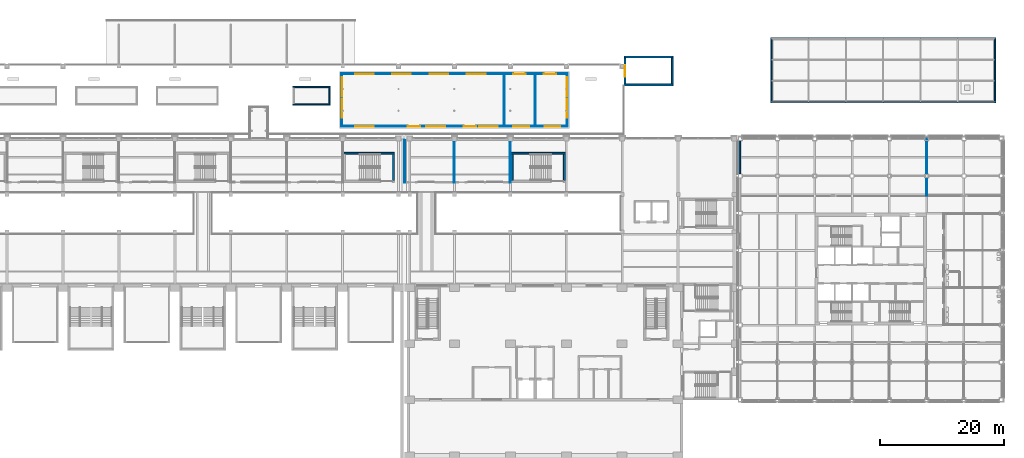
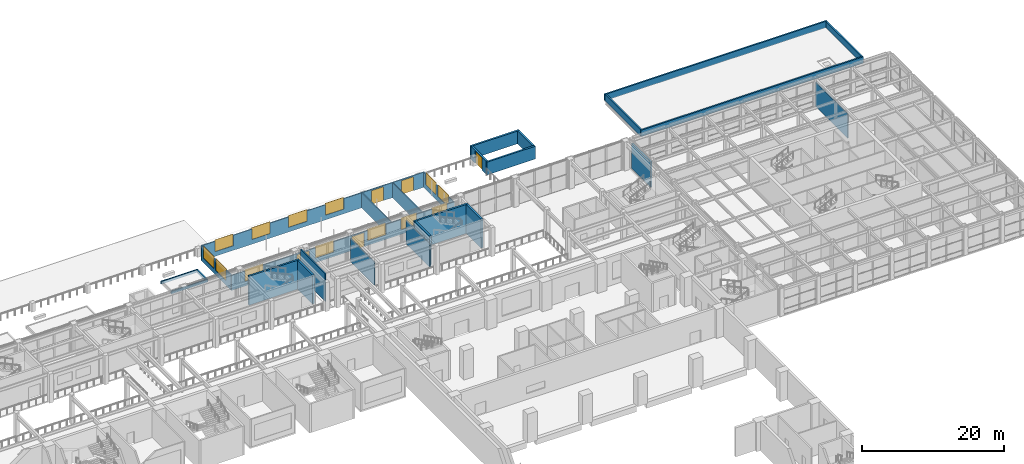
# One storey, part 46 of 67: 27 walls, 13 windows, 5 doors, 18 openings.
"""IFC4 building model written with IfcOpenShell, lengths in metres."""

from ifc_helpers import new_model, si_unit, direction, frame, frame_2d, origin, place, context, subcontext, project, spatial, rectangle, extrude, material, layer, layer_set, type_object, element, fill, save


model = new_model("IFC4")

# Units and contexts
model_context = context("Model", 3, precision=1e-05, world=origin(), true_north=direction((0.0, 1.0)))
body_context = subcontext(model_context, "Body", "Model", "MODEL_VIEW")
ifc_project = project(units=[si_unit("LENGTHUNIT", "METRE"), si_unit("AREAUNIT", "SQUARE_METRE"), si_unit("VOLUMEUNIT", "CUBIC_METRE"), si_unit("PLANEANGLEUNIT", "RADIAN"), si_unit("MASSUNIT", "GRAM", prefix="KILO")], contexts=[model_context])

# Site, building, storey
site_placement = place(None, origin())
site = spatial("IfcSite", under=ifc_project, at=site_placement, CompositionType="ELEMENT")
building_placement = place(site_placement, origin())
building = spatial("IfcBuilding", under=site, at=building_placement, Name="Aravalli Gate Trade Fair Centre", CompositionType="ELEMENT")
storey_placement = place(building_placement, frame((0.0, 0.0, 5.0)))
storey = spatial("IfcBuildingStorey", under=building, at=storey_placement, Name="L01", CompositionType="ELEMENT", Elevation=5.0)

# Walls
ifc_material_1 = material(Name="Concrete M40", Category="concrete")
ifc_layer_1 = layer(ifc_material_1, 0.300048828125)
ifc_layer_set_1 = layer_set([ifc_layer_1], Name="Concrete M40")
wall_type_1 = type_object("IfcWallType", Name="Arcade stair wall 300", PredefinedType="SHEAR", material=ifc_layer_set_1)
for number, where, z_axis, x_axis, name in (
    (1, (141.300048828125, 141.64990234375, 0.0), (0.0, 0.0, 1.0), (1.0, 0.0, 0.0), "Arcade stair east wall S L01"),
    (2, (141.300048828125, 146.14990234375, 0.0), (0.0, 0.0, 1.0), (1.0, 0.0, 0.0), "Arcade stair east wall N L01"),
):
    element("IfcWall", number, at=place(storey_placement, frame(where, z_axis=z_axis, x_axis=x_axis)), inside=storey, type_object=wall_type_1, Name=name, PredefinedType="SHEAR", context=body_context, shape_type="SweptSolid", body=[
        extrude(rectangle(XDim=7.89990234375, YDim=0.300048828125, at=frame_2d((3.949951171875, 0.0))), origin(), (0.0, 0.0, 1.0), 2.199951171875),
    ])

# Wall, opening, door
wall_1_placement = place(storey_placement, frame((141.449951171875, 141.800048828125, 0.0), z_axis=(0.0, 0.0, 1.0), x_axis=(0.0, 1.0, 0.0)))
wall_1 = element("IfcWall", 3, at=wall_1_placement, inside=storey, type_object=wall_type_1, Name="Arcade stair east wall W L01", PredefinedType="SHEAR", context=body_context, shape_type="SweptSolid", body=[
    extrude(rectangle(XDim=4.199951171875, YDim=0.300048828125, at=frame_2d((2.10009765625, 0.0))), origin(), (0.0, 0.0, 1.0), 2.199951171875),
])
opening_1_placement = place(wall_1_placement, frame((1.14990234375, 0.0, 0.0)))
opening_1 = element("IfcOpeningElement", 4, at=opening_1_placement, cuts=wall_1, Name="Opening P-L01-07", PredefinedType="OPENING", context=body_context, shape_type="SweptSolid", body=[
    extrude(rectangle(XDim=1.89990234375, YDim=2.10009765625, at=frame_2d((0.949951171875, 1.050048828125))), frame((0.0, 0.159912109375, 0.0), z_axis=(0.0, -1.0, 0.0), x_axis=(1.0, 0.0, 0.0)), (0.0, 0.0, 1.0), 0.320068359375),
])
ifc_material_2 = material(Name="Steel, fire rated", Category="steel")
door_type_1 = type_object("IfcDoorType", Name="Concourse stair door 1900 x 2100", OperationType="DOUBLE_DOOR_SINGLE_SWING", PredefinedType="NOTDEFINED", material=ifc_material_2)
door_1_placement = place(opening_1_placement, frame((1.89990234375, 0.0, 0.0), z_axis=(0.0, 0.0, 1.0), x_axis=(-1.0, 0.0, 0.0)))
door_1 = element("IfcDoor", 5, at=door_1_placement, inside=storey, type_object=door_type_1, Name="Arcade stair east door W", OperationType="DOUBLE_DOOR_SINGLE_SWING", OverallHeight=2.10009765625, OverallWidth=1.89990234375, PredefinedType="NOTDEFINED", context=body_context, shape_type="SweptSolid", body=[
    extrude(rectangle(XDim=1.89990234375, YDim=2.10009765625, at=frame_2d((0.949951171875, 1.050048828125))), frame((0.0, 0.02490234375, 0.0), z_axis=(0.0, -1.0, 0.0), x_axis=(1.0, 0.0, 0.0)), (0.0, 0.0, 1.0), 0.050048828125),
])
fill(opening_1, door_1)

# Walls
wall_2_placement = place(storey_placement, frame((149.050048828125, 141.800048828125, 0.0), z_axis=(0.0, 0.0, 1.0), x_axis=(0.0, 1.0, 0.0)))
element("IfcWall", 6, at=wall_2_placement, inside=storey, type_object=wall_type_1, Name="Arcade stair east wall E L01", PredefinedType="SHEAR", context=body_context, shape_type="SweptSolid", body=[
    extrude(rectangle(XDim=4.199951171875, YDim=0.300048828125, at=frame_2d((2.10009765625, 0.0))), origin(), (0.0, 0.0, 1.0), 2.199951171875),
])
ifc_material_3 = material(Name="Gypsum board")
ifc_layer_2 = layer(ifc_material_3, 0.02490234375, Name="Gypsum board lining")
ifc_material_4 = material(Name="Galvanised stud framing")
ifc_layer_3 = layer(ifc_material_4, 0.10009765625, Name="Stud framing")
ifc_layer_4 = layer(ifc_material_3, 0.02490234375, Name="Gypsum board lining")
ifc_layer_set_2 = layer_set([ifc_layer_2, ifc_layer_3, ifc_layer_4], Name="Partition wall 150")
wall_type_2 = type_object("IfcWallType", Name="Partition wall 150", PredefinedType="PARTITIONING", material=ifc_layer_set_2)
wall_3_placement = place(storey_placement, frame((106.0, 125.925048828125, 0.0), z_axis=(0.0, 0.0, 1.0), x_axis=(0.0, 1.0, 0.0)))
element("IfcWall", 7, at=wall_3_placement, inside=storey, type_object=wall_type_2, Name="Partition 10600 L01", PredefinedType="PARTITIONING", context=body_context, shape_type="SweptSolid", body=[
    extrude(rectangle(XDim=6.994873046875, YDim=0.14990234375, at=frame_2d((3.49755859375, 0.0))), origin(), (0.0, 0.0, 1.0), 4.800048828125),
])
for number, where, z_axis, x_axis, name in (
    (8, (114.0, 125.925048828125, 0.0), (0.0, 0.0, 1.0), (0.0, 1.0, 0.0), "Partition 11400 L01"),
    (9, (123.0, 125.925048828125, 0.0), (0.0, 0.0, 1.0), (0.0, 1.0, 0.0), "Partition 12300 L01"),
):
    element("IfcWall", number, at=place(storey_placement, frame(where, z_axis=z_axis, x_axis=x_axis)), inside=storey, type_object=wall_type_2, Name=name, PredefinedType="PARTITIONING", context=body_context, shape_type="SweptSolid", body=[
        extrude(rectangle(XDim=6.675048828125, YDim=0.14990234375, at=frame_2d((3.33740234375, 0.0))), origin(), (0.0, 0.0, 1.0), 4.0),
    ])
ifc_layer_5 = layer(ifc_material_1, 0.300048828125)
ifc_layer_set_3 = layer_set([ifc_layer_5], Name="Concrete M40")
wall_type_3 = type_object("IfcWallType", Name="RC core wall 300", PredefinedType="SHEAR", material=ifc_layer_set_3)
wall_4_placement = place(storey_placement, frame((96.14990234375, 130.64990234375, 0.0), z_axis=(0.0, 0.0, 1.0), x_axis=(1.0, 0.0, 0.0)))
element("IfcWall", 10, at=wall_4_placement, inside=storey, type_object=wall_type_3, Name="Core wall XDN L01", PredefinedType="SHEAR", context=body_context, shape_type="SweptSolid", body=[
    extrude(rectangle(XDim=8.2001953125, YDim=0.300048828125, at=frame_2d((4.10009765625, 0.0))), origin(), (0.0, 0.0, 1.0), 5.0),
])
wall_5_placement = place(storey_placement, frame((104.199951171875, 126.300048828125, 0.0), z_axis=(0.0, 0.0, 1.0), x_axis=(0.0, 1.0, 0.0)))
element("IfcWall", 11, at=wall_5_placement, inside=storey, type_object=wall_type_3, Name="Core wall XDE L01", PredefinedType="SHEAR", context=body_context, shape_type="SweptSolid", body=[
    extrude(rectangle(XDim=4.199951171875, YDim=0.300048828125, at=frame_2d((2.10009765625, 0.0))), origin(), (0.0, 0.0, 1.0), 5.0),
])
wall_6_placement = place(storey_placement, frame((123.14990234375, 130.64990234375, 0.0), z_axis=(0.0, 0.0, 1.0), x_axis=(1.0, 0.0, 0.0)))
element("IfcWall", 12, at=wall_6_placement, inside=storey, type_object=wall_type_3, Name="Core wall XEN L01", PredefinedType="SHEAR", context=body_context, shape_type="SweptSolid", body=[
    extrude(rectangle(XDim=8.7001953125, YDim=0.300048828125, at=frame_2d((4.35009765625, 0.0))), origin(), (0.0, 0.0, 1.0), 5.0),
])
for number, where, z_axis, x_axis, name in (
    (13, (123.300048828125, 126.300048828125, 0.0), (0.0, 0.0, 1.0), (0.0, 1.0, 0.0), "Core wall XEW L01"),
    (14, (131.699951171875, 126.300048828125, 0.0), (0.0, 0.0, 1.0), (0.0, 1.0, 0.0), "Core wall XEE L01"),
):
    element("IfcWall", number, at=place(storey_placement, frame(where, z_axis=z_axis, x_axis=x_axis)), inside=storey, type_object=wall_type_3, Name=name, PredefinedType="SHEAR", context=body_context, shape_type="SweptSolid", body=[
        extrude(rectangle(XDim=4.199951171875, YDim=0.300048828125, at=frame_2d((2.10009765625, 0.0))), origin(), (0.0, 0.0, 1.0), 5.0),
    ])

# Wall, openings, doors, windows
ifc_material_5 = material(Name="Aluminium frame with glass", Category="aluminium")
ifc_layer_6 = layer(ifc_material_5, 0.159912109375)
ifc_layer_set_4 = layer_set([ifc_layer_6], Name="Aluminium frame with glass")
wall_type_4 = type_object("IfcWallType", Name="Terrace pavilion wall 160", PredefinedType="STANDARD", material=ifc_layer_set_4)
wall_7_placement = place(storey_placement, frame((95.800048828125, 134.97998046875, 0.0), z_axis=(0.0, 0.0, 1.0), x_axis=(1.0, 0.0, 0.0)))
wall_7 = element("IfcWall", 15, at=wall_7_placement, inside=storey, type_object=wall_type_4, Name="Terrace pavilion wall S", PredefinedType="STANDARD", context=body_context, shape_type="SweptSolid", body=[
    extrude(rectangle(XDim=36.39990234375, YDim=0.159912109375, at=frame_2d((18.199951171875, 0.0))), origin(), (0.0, 0.0, 1.0), 2.60009765625),
])
opening_2_placement = place(wall_7_placement, frame((10.699951171875, 0.0, 0.0)))
opening_2 = element("IfcOpeningElement", 16, at=opening_2_placement, cuts=wall_7, Name="Opening P-L01-01", PredefinedType="OPENING", context=body_context, shape_type="SweptSolid", body=[
    extrude(rectangle(XDim=2.0, YDim=2.39990234375, at=frame_2d((1.0, 1.199951171875))), frame((0.0, 0.08984375, 0.0), z_axis=(0.0, -1.0, 0.0), x_axis=(1.0, 0.0, 0.0)), (0.0, 0.0, 1.0), 0.179931640625),
])
opening_3_placement = place(wall_7_placement, frame((19.699951171875, 0.0, 0.0)))
opening_3 = element("IfcOpeningElement", 17, at=opening_3_placement, cuts=wall_7, Name="Opening P-L01-02", PredefinedType="OPENING", context=body_context, shape_type="SweptSolid", body=[
    extrude(rectangle(XDim=2.0, YDim=2.39990234375, at=frame_2d((1.0, 1.199951171875))), frame((0.0, 0.08984375, 0.0), z_axis=(0.0, -1.0, 0.0), x_axis=(1.0, 0.0, 0.0)), (0.0, 0.0, 1.0), 0.179931640625),
])
opening_4_placement = place(wall_7_placement, frame((2.199951171875, 0.0, 0.800048828125)))
opening_4 = element("IfcOpeningElement", 18, at=opening_4_placement, cuts=wall_7, Name="Opening AWN2", PredefinedType="OPENING", context=body_context, shape_type="SweptSolid", body=[
    extrude(rectangle(XDim=3.0, YDim=2.0, at=frame_2d((1.5, 1.0))), frame((0.0, 0.08984375, 0.0), z_axis=(0.0, -1.0, 0.0), x_axis=(1.0, 0.0, 0.0)), (0.0, 0.0, 1.0), 0.179931640625),
])
opening_5_placement = place(wall_7_placement, frame((13.699951171875, 0.0, 0.800048828125)))
opening_5 = element("IfcOpeningElement", 19, at=opening_5_placement, cuts=wall_7, Name="Opening AWN2", PredefinedType="OPENING", context=body_context, shape_type="SweptSolid", body=[
    extrude(rectangle(XDim=3.0, YDim=2.0, at=frame_2d((1.5, 1.0))), frame((0.0, 0.08984375, 0.0), z_axis=(0.0, -1.0, 0.0), x_axis=(1.0, 0.0, 0.0)), (0.0, 0.0, 1.0), 0.179931640625),
])
opening_6_placement = place(wall_7_placement, frame((22.199951171875, 0.0, 0.800048828125)))
opening_6 = element("IfcOpeningElement", 20, at=opening_6_placement, cuts=wall_7, Name="Opening AWN2", PredefinedType="OPENING", context=body_context, shape_type="SweptSolid", body=[
    extrude(rectangle(XDim=3.0, YDim=2.0, at=frame_2d((1.5, 1.0))), frame((0.0, 0.08984375, 0.0), z_axis=(0.0, -1.0, 0.0), x_axis=(1.0, 0.0, 0.0)), (0.0, 0.0, 1.0), 0.179931640625),
])
opening_7_placement = place(wall_7_placement, frame((27.699951171875, 0.0, 0.800048828125)))
opening_7 = element("IfcOpeningElement", 21, at=opening_7_placement, cuts=wall_7, Name="Opening AWN2", PredefinedType="OPENING", context=body_context, shape_type="SweptSolid", body=[
    extrude(rectangle(XDim=2.5, YDim=2.0, at=frame_2d((1.25, 1.0))), frame((0.0, 0.08984375, 0.0), z_axis=(0.0, -1.0, 0.0), x_axis=(1.0, 0.0, 0.0)), (0.0, 0.0, 1.0), 0.179931640625),
])
opening_8_placement = place(wall_7_placement, frame((32.699951171875, 0.0, 0.800048828125)))
opening_8 = element("IfcOpeningElement", 22, at=opening_8_placement, cuts=wall_7, Name="Opening AWN2", PredefinedType="OPENING", context=body_context, shape_type="SweptSolid", body=[
    extrude(rectangle(XDim=2.5, YDim=2.0, at=frame_2d((1.25, 1.0))), frame((0.0, 0.08984375, 0.0), z_axis=(0.0, -1.0, 0.0), x_axis=(1.0, 0.0, 0.0)), (0.0, 0.0, 1.0), 0.179931640625),
])
ifc_material_6 = material(Name="Aluminium and glass", Category="aluminium")
door_type_2 = type_object("IfcDoorType", Name="Arcade door, double 2000 x 2400", OperationType="DOUBLE_DOOR_SINGLE_SWING", PredefinedType="NOTDEFINED", material=ifc_material_6)
door_2_placement = place(opening_2_placement, origin())
door_2 = element("IfcDoor", 23, at=door_2_placement, inside=storey, type_object=door_type_2, Name="Terrace shop 1 door south A", OperationType="DOUBLE_DOOR_SINGLE_SWING", OverallHeight=2.39990234375, OverallWidth=2.0, PredefinedType="NOTDEFINED", context=body_context, shape_type="SweptSolid", body=[
    extrude(rectangle(XDim=2.0, YDim=2.39990234375, at=frame_2d((1.0, 1.199951171875))), frame((0.0, 0.02490234375, 0.0), z_axis=(0.0, -1.0, 0.0), x_axis=(1.0, 0.0, 0.0)), (0.0, 0.0, 1.0), 0.050048828125),
])
fill(opening_2, door_2)
door_3_placement = place(opening_3_placement, frame((2.0, 0.0, 0.0), z_axis=(0.0, 0.0, 1.0), x_axis=(-1.0, 0.0, 0.0)))
door_3 = element("IfcDoor", 24, at=door_3_placement, inside=storey, type_object=door_type_2, Name="Terrace shop 1 door south B", OperationType="DOUBLE_DOOR_SINGLE_SWING", OverallHeight=2.39990234375, OverallWidth=2.0, PredefinedType="NOTDEFINED", context=body_context, shape_type="SweptSolid", body=[
    extrude(rectangle(XDim=2.0, YDim=2.39990234375, at=frame_2d((1.0, 1.199951171875))), frame((0.0, 0.02490234375, 0.0), z_axis=(0.0, -1.0, 0.0), x_axis=(1.0, 0.0, 0.0)), (0.0, 0.0, 1.0), 0.050048828125),
])
fill(opening_3, door_3)
window_type = type_object("IfcWindowType", Name="Terrace pavilion window 3000 x 2000", PartitioningType="SINGLE_PANEL", PredefinedType="WINDOW", material=ifc_material_6)
window_1_placement = place(opening_4_placement, origin())
window_1 = element("IfcWindow", 25, at=window_1_placement, inside=storey, type_object=window_type, Name="Pavilion window S1", OverallHeight=2.0, OverallWidth=3.0, PartitioningType="SINGLE_PANEL", PredefinedType="WINDOW", context=body_context, shape_type="SweptSolid", body=[
    extrude(rectangle(XDim=3.0, YDim=2.0, at=frame_2d((1.5, 1.0))), frame((0.0, 0.030029296875, 0.0), z_axis=(0.0, -1.0, 0.0), x_axis=(1.0, 0.0, 0.0)), (0.0, 0.0, 1.0), 0.06005859375),
])
fill(opening_4, window_1)
window_2_placement = place(opening_5_placement, origin())
window_2 = element("IfcWindow", 26, at=window_2_placement, inside=storey, type_object=window_type, Name="Pavilion window S2", OverallHeight=2.0, OverallWidth=3.0, PartitioningType="SINGLE_PANEL", PredefinedType="WINDOW", context=body_context, shape_type="SweptSolid", body=[
    extrude(rectangle(XDim=3.0, YDim=2.0, at=frame_2d((1.5, 1.0))), frame((0.0, 0.030029296875, 0.0), z_axis=(0.0, -1.0, 0.0), x_axis=(1.0, 0.0, 0.0)), (0.0, 0.0, 1.0), 0.06005859375),
])
fill(opening_5, window_2)
window_3_placement = place(opening_6_placement, origin())
window_3 = element("IfcWindow", 27, at=window_3_placement, inside=storey, type_object=window_type, Name="Pavilion window S3", OverallHeight=2.0, OverallWidth=3.0, PartitioningType="SINGLE_PANEL", PredefinedType="WINDOW", context=body_context, shape_type="SweptSolid", body=[
    extrude(rectangle(XDim=3.0, YDim=2.0, at=frame_2d((1.5, 1.0))), frame((0.0, 0.030029296875, 0.0), z_axis=(0.0, -1.0, 0.0), x_axis=(1.0, 0.0, 0.0)), (0.0, 0.0, 1.0), 0.06005859375),
])
fill(opening_6, window_3)
window_4_placement = place(opening_7_placement, origin())
window_4 = element("IfcWindow", 28, at=window_4_placement, inside=storey, type_object=window_type, Name="Pavilion window S4", OverallHeight=2.0, OverallWidth=2.5, PartitioningType="SINGLE_PANEL", PredefinedType="WINDOW", context=body_context, shape_type="SweptSolid", body=[
    extrude(rectangle(XDim=2.5, YDim=2.0, at=frame_2d((1.25, 1.0))), frame((0.0, 0.030029296875, 0.0), z_axis=(0.0, -1.0, 0.0), x_axis=(1.0, 0.0, 0.0)), (0.0, 0.0, 1.0), 0.06005859375),
])
fill(opening_7, window_4)
window_5_placement = place(opening_8_placement, origin())
window_5 = element("IfcWindow", 29, at=window_5_placement, inside=storey, type_object=window_type, Name="Pavilion window S5", OverallHeight=2.0, OverallWidth=2.5, PartitioningType="SINGLE_PANEL", PredefinedType="WINDOW", context=body_context, shape_type="SweptSolid", body=[
    extrude(rectangle(XDim=2.5, YDim=2.0, at=frame_2d((1.25, 1.0))), frame((0.0, 0.030029296875, 0.0), z_axis=(0.0, -1.0, 0.0), x_axis=(1.0, 0.0, 0.0)), (0.0, 0.0, 1.0), 0.06005859375),
])
fill(opening_8, window_5)

wall_8_placement = place(storey_placement, frame((95.800048828125, 143.419921875, 0.0), z_axis=(0.0, 0.0, 1.0), x_axis=(1.0, 0.0, 0.0)))
wall_8 = element("IfcWall", 30, at=wall_8_placement, inside=storey, type_object=wall_type_4, Name="Terrace pavilion wall N", PredefinedType="STANDARD", context=body_context, shape_type="SweptSolid", body=[
    extrude(rectangle(XDim=36.39990234375, YDim=0.159912109375, at=frame_2d((18.199951171875, 0.0))), origin(), (0.0, 0.0, 1.0), 2.60009765625),
])
opening_9_placement = place(wall_8_placement, frame((2.199951171875, 0.0, 0.800048828125)))
opening_9 = element("IfcOpeningElement", 31, at=opening_9_placement, cuts=wall_8, Name="Opening AWN2", PredefinedType="OPENING", context=body_context, shape_type="SweptSolid", body=[
    extrude(rectangle(XDim=3.0, YDim=2.0, at=frame_2d((1.5, 1.0))), frame((0.0, 0.08984375, 0.0), z_axis=(0.0, -1.0, 0.0), x_axis=(1.0, 0.0, 0.0)), (0.0, 0.0, 1.0), 0.179931640625),
])
opening_10_placement = place(wall_8_placement, frame((8.199951171875, 0.0, 0.800048828125)))
opening_10 = element("IfcOpeningElement", 32, at=opening_10_placement, cuts=wall_8, Name="Opening AWN2", PredefinedType="OPENING", context=body_context, shape_type="SweptSolid", body=[
    extrude(rectangle(XDim=3.0, YDim=2.0, at=frame_2d((1.5, 1.0))), frame((0.0, 0.08984375, 0.0), z_axis=(0.0, -1.0, 0.0), x_axis=(1.0, 0.0, 0.0)), (0.0, 0.0, 1.0), 0.179931640625),
])
opening_11_placement = place(wall_8_placement, frame((14.199951171875, 0.0, 0.800048828125)))
opening_11 = element("IfcOpeningElement", 33, at=opening_11_placement, cuts=wall_8, Name="Opening AWN2", PredefinedType="OPENING", context=body_context, shape_type="SweptSolid", body=[
    extrude(rectangle(XDim=3.0, YDim=2.0, at=frame_2d((1.5, 1.0))), frame((0.0, 0.08984375, 0.0), z_axis=(0.0, -1.0, 0.0), x_axis=(1.0, 0.0, 0.0)), (0.0, 0.0, 1.0), 0.179931640625),
])
opening_12_placement = place(wall_8_placement, frame((20.199951171875, 0.0, 0.800048828125)))
opening_12 = element("IfcOpeningElement", 34, at=opening_12_placement, cuts=wall_8, Name="Opening AWN2", PredefinedType="OPENING", context=body_context, shape_type="SweptSolid", body=[
    extrude(rectangle(XDim=3.0, YDim=2.0, at=frame_2d((1.5, 1.0))), frame((0.0, 0.08984375, 0.0), z_axis=(0.0, -1.0, 0.0), x_axis=(1.0, 0.0, 0.0)), (0.0, 0.0, 1.0), 0.179931640625),
])
opening_13_placement = place(wall_8_placement, frame((27.699951171875, 0.0, 0.0)))
opening_13 = element("IfcOpeningElement", 35, at=opening_13_placement, cuts=wall_8, Name="Opening P-L01-03", PredefinedType="OPENING", context=body_context, shape_type="SweptSolid", body=[
    extrude(rectangle(XDim=2.0, YDim=2.39990234375, at=frame_2d((1.0, 1.199951171875))), frame((0.0, 0.08984375, 0.0), z_axis=(0.0, -1.0, 0.0), x_axis=(1.0, 0.0, 0.0)), (0.0, 0.0, 1.0), 0.179931640625),
])
opening_14_placement = place(wall_8_placement, frame((32.60009765625, 0.0, 0.0)))
opening_14 = element("IfcOpeningElement", 36, at=opening_14_placement, cuts=wall_8, Name="Opening P-L01-04", PredefinedType="OPENING", context=body_context, shape_type="SweptSolid", body=[
    extrude(rectangle(XDim=2.0, YDim=2.39990234375, at=frame_2d((1.0, 1.199951171875))), frame((0.0, 0.08984375, 0.0), z_axis=(0.0, -1.0, 0.0), x_axis=(1.0, 0.0, 0.0)), (0.0, 0.0, 1.0), 0.179931640625),
])
door_4_placement = place(opening_13_placement, origin())
door_4 = element("IfcDoor", 37, at=door_4_placement, inside=storey, type_object=door_type_2, Name="Terrace shop 2 door", OperationType="DOUBLE_DOOR_SINGLE_SWING", OverallHeight=2.39990234375, OverallWidth=2.0, PredefinedType="NOTDEFINED", context=body_context, shape_type="SweptSolid", body=[
    extrude(rectangle(XDim=2.0, YDim=2.39990234375, at=frame_2d((1.0, 1.199951171875))), frame((0.0, 0.02490234375, 0.0), z_axis=(0.0, -1.0, 0.0), x_axis=(1.0, 0.0, 0.0)), (0.0, 0.0, 1.0), 0.050048828125),
])
fill(opening_13, door_4)
door_5_placement = place(opening_14_placement, frame((2.0, 0.0, 0.0), z_axis=(0.0, 0.0, 1.0), x_axis=(-1.0, 0.0, 0.0)))
door_5 = element("IfcDoor", 38, at=door_5_placement, inside=storey, type_object=door_type_2, Name="Terrace shop 3 door", OperationType="DOUBLE_DOOR_SINGLE_SWING", OverallHeight=2.39990234375, OverallWidth=2.0, PredefinedType="NOTDEFINED", context=body_context, shape_type="SweptSolid", body=[
    extrude(rectangle(XDim=2.0, YDim=2.39990234375, at=frame_2d((1.0, 1.199951171875))), frame((0.0, 0.02490234375, 0.0), z_axis=(0.0, -1.0, 0.0), x_axis=(1.0, 0.0, 0.0)), (0.0, 0.0, 1.0), 0.050048828125),
])
fill(opening_14, door_5)
window_6_placement = place(opening_9_placement, origin())
window_6 = element("IfcWindow", 39, at=window_6_placement, inside=storey, type_object=window_type, Name="Pavilion window N1", OverallHeight=2.0, OverallWidth=3.0, PartitioningType="SINGLE_PANEL", PredefinedType="WINDOW", context=body_context, shape_type="SweptSolid", body=[
    extrude(rectangle(XDim=3.0, YDim=2.0, at=frame_2d((1.5, 1.0))), frame((0.0, 0.030029296875, 0.0), z_axis=(0.0, -1.0, 0.0), x_axis=(1.0, 0.0, 0.0)), (0.0, 0.0, 1.0), 0.06005859375),
])
fill(opening_9, window_6)
window_7_placement = place(opening_10_placement, origin())
window_7 = element("IfcWindow", 40, at=window_7_placement, inside=storey, type_object=window_type, Name="Pavilion window N2", OverallHeight=2.0, OverallWidth=3.0, PartitioningType="SINGLE_PANEL", PredefinedType="WINDOW", context=body_context, shape_type="SweptSolid", body=[
    extrude(rectangle(XDim=3.0, YDim=2.0, at=frame_2d((1.5, 1.0))), frame((0.0, 0.030029296875, 0.0), z_axis=(0.0, -1.0, 0.0), x_axis=(1.0, 0.0, 0.0)), (0.0, 0.0, 1.0), 0.06005859375),
])
fill(opening_10, window_7)
window_8_placement = place(opening_11_placement, origin())
window_8 = element("IfcWindow", 41, at=window_8_placement, inside=storey, type_object=window_type, Name="Pavilion window N3", OverallHeight=2.0, OverallWidth=3.0, PartitioningType="SINGLE_PANEL", PredefinedType="WINDOW", context=body_context, shape_type="SweptSolid", body=[
    extrude(rectangle(XDim=3.0, YDim=2.0, at=frame_2d((1.5, 1.0))), frame((0.0, 0.030029296875, 0.0), z_axis=(0.0, -1.0, 0.0), x_axis=(1.0, 0.0, 0.0)), (0.0, 0.0, 1.0), 0.06005859375),
])
fill(opening_11, window_8)
window_9_placement = place(opening_12_placement, origin())
window_9 = element("IfcWindow", 42, at=window_9_placement, inside=storey, type_object=window_type, Name="Pavilion window N4", OverallHeight=2.0, OverallWidth=3.0, PartitioningType="SINGLE_PANEL", PredefinedType="WINDOW", context=body_context, shape_type="SweptSolid", body=[
    extrude(rectangle(XDim=3.0, YDim=2.0, at=frame_2d((1.5, 1.0))), frame((0.0, 0.030029296875, 0.0), z_axis=(0.0, -1.0, 0.0), x_axis=(1.0, 0.0, 0.0)), (0.0, 0.0, 1.0), 0.06005859375),
])
fill(opening_12, window_9)

# Wall, openings, windows
wall_9_placement = place(storey_placement, frame((95.8798828125, 135.06005859375, 0.0), z_axis=(0.0, 0.0, 1.0), x_axis=(0.0, 1.0, 0.0)))
wall_9 = element("IfcWall", 43, at=wall_9_placement, inside=storey, type_object=wall_type_4, Name="Terrace pavilion wall W", PredefinedType="STANDARD", context=body_context, shape_type="SweptSolid", body=[
    extrude(rectangle(XDim=8.280029296875, YDim=0.159912109375, at=frame_2d((4.14013671875, 0.0))), origin(), (0.0, 0.0, 1.0), 2.60009765625),
])
opening_15_placement = place(wall_9_placement, frame((1.340087890625, 0.0, 0.800048828125)))
opening_15 = element("IfcOpeningElement", 44, at=opening_15_placement, cuts=wall_9, Name="Opening AWN2", PredefinedType="OPENING", context=body_context, shape_type="SweptSolid", body=[
    extrude(rectangle(XDim=3.0, YDim=2.0, at=frame_2d((1.5, 1.0))), frame((0.0, 0.08984375, 0.0), z_axis=(0.0, -1.0, 0.0), x_axis=(1.0, 0.0, 0.0)), (0.0, 0.0, 1.0), 0.179931640625),
])
opening_16_placement = place(wall_9_placement, frame((4.7900390625, 0.0, 0.800048828125)))
opening_16 = element("IfcOpeningElement", 45, at=opening_16_placement, cuts=wall_9, Name="Opening AWN2", PredefinedType="OPENING", context=body_context, shape_type="SweptSolid", body=[
    extrude(rectangle(XDim=3.0, YDim=2.0, at=frame_2d((1.5, 1.0))), frame((0.0, 0.08984375, 0.0), z_axis=(0.0, -1.0, 0.0), x_axis=(1.0, 0.0, 0.0)), (0.0, 0.0, 1.0), 0.179931640625),
])
window_10_placement = place(opening_15_placement, origin())
window_10 = element("IfcWindow", 46, at=window_10_placement, inside=storey, type_object=window_type, Name="Pavilion window W1", OverallHeight=2.0, OverallWidth=3.0, PartitioningType="SINGLE_PANEL", PredefinedType="WINDOW", context=body_context, shape_type="SweptSolid", body=[
    extrude(rectangle(XDim=3.0, YDim=2.0, at=frame_2d((1.5, 1.0))), frame((0.0, 0.030029296875, 0.0), z_axis=(0.0, -1.0, 0.0), x_axis=(1.0, 0.0, 0.0)), (0.0, 0.0, 1.0), 0.06005859375),
])
fill(opening_15, window_10)
window_11_placement = place(opening_16_placement, origin())
window_11 = element("IfcWindow", 47, at=window_11_placement, inside=storey, type_object=window_type, Name="Pavilion window W2", OverallHeight=2.0, OverallWidth=3.0, PartitioningType="SINGLE_PANEL", PredefinedType="WINDOW", context=body_context, shape_type="SweptSolid", body=[
    extrude(rectangle(XDim=3.0, YDim=2.0, at=frame_2d((1.5, 1.0))), frame((0.0, 0.030029296875, 0.0), z_axis=(0.0, -1.0, 0.0), x_axis=(1.0, 0.0, 0.0)), (0.0, 0.0, 1.0), 0.06005859375),
])
fill(opening_16, window_11)

wall_10_placement = place(storey_placement, frame((132.1201171875, 135.06005859375, 0.0), z_axis=(0.0, 0.0, 1.0), x_axis=(0.0, 1.0, 0.0)))
wall_10 = element("IfcWall", 48, at=wall_10_placement, inside=storey, type_object=wall_type_4, Name="Terrace pavilion wall E", PredefinedType="STANDARD", context=body_context, shape_type="SweptSolid", body=[
    extrude(rectangle(XDim=8.280029296875, YDim=0.159912109375, at=frame_2d((4.14013671875, 0.0))), origin(), (0.0, 0.0, 1.0), 2.60009765625),
])
opening_17_placement = place(wall_10_placement, frame((1.340087890625, 0.0, 0.800048828125)))
opening_17 = element("IfcOpeningElement", 49, at=opening_17_placement, cuts=wall_10, Name="Opening AWN2", PredefinedType="OPENING", context=body_context, shape_type="SweptSolid", body=[
    extrude(rectangle(XDim=3.0, YDim=2.0, at=frame_2d((1.5, 1.0))), frame((0.0, 0.08984375, 0.0), z_axis=(0.0, -1.0, 0.0), x_axis=(1.0, 0.0, 0.0)), (0.0, 0.0, 1.0), 0.179931640625),
])
opening_18_placement = place(wall_10_placement, frame((4.7900390625, 0.0, 0.800048828125)))
opening_18 = element("IfcOpeningElement", 50, at=opening_18_placement, cuts=wall_10, Name="Opening AWN2", PredefinedType="OPENING", context=body_context, shape_type="SweptSolid", body=[
    extrude(rectangle(XDim=3.0, YDim=2.0, at=frame_2d((1.5, 1.0))), frame((0.0, 0.08984375, 0.0), z_axis=(0.0, -1.0, 0.0), x_axis=(1.0, 0.0, 0.0)), (0.0, 0.0, 1.0), 0.179931640625),
])
window_12_placement = place(opening_17_placement, origin())
window_12 = element("IfcWindow", 51, at=window_12_placement, inside=storey, type_object=window_type, Name="Pavilion window E1", OverallHeight=2.0, OverallWidth=3.0, PartitioningType="SINGLE_PANEL", PredefinedType="WINDOW", context=body_context, shape_type="SweptSolid", body=[
    extrude(rectangle(XDim=3.0, YDim=2.0, at=frame_2d((1.5, 1.0))), frame((0.0, 0.030029296875, 0.0), z_axis=(0.0, -1.0, 0.0), x_axis=(1.0, 0.0, 0.0)), (0.0, 0.0, 1.0), 0.06005859375),
])
fill(opening_17, window_12)
window_13_placement = place(opening_18_placement, origin())
window_13 = element("IfcWindow", 52, at=window_13_placement, inside=storey, type_object=window_type, Name="Pavilion window E2", OverallHeight=2.0, OverallWidth=3.0, PartitioningType="SINGLE_PANEL", PredefinedType="WINDOW", context=body_context, shape_type="SweptSolid", body=[
    extrude(rectangle(XDim=3.0, YDim=2.0, at=frame_2d((1.5, 1.0))), frame((0.0, 0.030029296875, 0.0), z_axis=(0.0, -1.0, 0.0), x_axis=(1.0, 0.0, 0.0)), (0.0, 0.0, 1.0), 0.06005859375),
])
fill(opening_18, window_13)

# Walls
for number, where, z_axis, x_axis, name in (
    (53, (122.0, 135.06005859375, 0.0), (0.0, 0.0, 1.0), (0.0, 1.0, 0.0), "Terrace pavilion partition 1"),
    (54, (127.0, 135.06005859375, 0.0), (0.0, 0.0, 1.0), (0.0, 1.0, 0.0), "Terrace pavilion partition 2"),
):
    element("IfcWall", number, at=place(storey_placement, frame(where, z_axis=z_axis, x_axis=x_axis)), inside=storey, type_object=wall_type_4, Name=name, PredefinedType="STANDARD", context=body_context, shape_type="SweptSolid", body=[
        extrude(rectangle(XDim=8.280029296875, YDim=0.14990234375, at=frame_2d((4.14013671875, 0.0))), origin(), (0.0, 0.0, 1.0), 2.60009765625),
    ])
ifc_material_7 = material(Name="Concrete M30", Category="concrete")
ifc_layer_7 = layer(ifc_material_7, 0.199951171875)
ifc_layer_set_5 = layer_set([ifc_layer_7], Name="Concrete M30")
wall_type_5 = type_object("IfcWallType", Name="Terrace planter wall 200", PredefinedType="STANDARD", material=ifc_layer_set_5)
for number, where, z_axis, x_axis, name in (
    (55, (88.0, 138.5, 0.0), (0.0, 0.0, 1.0), (1.0, 0.0, 0.0), "Planter 5 wall S"),
    (56, (88.0, 141.300048828125, 0.0), (0.0, 0.0, 1.0), (1.0, 0.0, 0.0), "Planter 5 wall N"),
):
    element("IfcWall", number, at=place(storey_placement, frame(where, z_axis=z_axis, x_axis=x_axis)), inside=storey, type_object=wall_type_5, Name=name, PredefinedType="STANDARD", context=body_context, shape_type="SweptSolid", body=[
        extrude(rectangle(XDim=6.0, YDim=0.199951171875, at=frame_2d((3.0, 0.0))), origin(), (0.0, 0.0, 1.0), 0.449951171875),
    ])
wall_11_placement = place(storey_placement, frame((93.89990234375, 138.60009765625, 0.0), z_axis=(0.0, 0.0, 1.0), x_axis=(0.0, 1.0, 0.0)))
element("IfcWall", 57, at=wall_11_placement, inside=storey, type_object=wall_type_5, Name="Planter 5 wall E", PredefinedType="STANDARD", context=body_context, shape_type="SweptSolid", body=[
    extrude(rectangle(XDim=2.599853515625, YDim=0.199951171875, at=frame_2d((1.2998046875, 0.0))), origin(), (0.0, 0.0, 1.0), 0.449951171875),
])
ifc_material_8 = material(Name="Blockwork with fire-rated lining", Category="masonry")
ifc_layer_8 = layer(ifc_material_8, 0.14990234375)
ifc_layer_set_6 = layer_set([ifc_layer_8], Name="Blockwork with fire-rated lining")
wall_type_6 = type_object("IfcWallType", Name="Wing partition 150 (EI 60, corridor wall)", PredefinedType="PARTITIONING", material=ifc_layer_set_6)
wall_12_placement = place(storey_placement, frame((190.0, 123.85009765625, 0.0), z_axis=(0.0, 0.0, 1.0), x_axis=(0.0, 1.0, 0.0)))
element("IfcWall", 58, at=wall_12_placement, inside=storey, type_object=wall_type_6, Name="Partition NP1 L01", PredefinedType="PARTITIONING", context=body_context, shape_type="SweptSolid", body=[
    extrude(rectangle(XDim=9.099853515625, YDim=0.14990234375, at=frame_2d((4.5498046875, 0.0))), origin(), (0.0, 0.0, 1.0), 4.199951171875),
])
ifc_layer_9 = layer(ifc_material_7, 0.2099609375, Name="Parapet body")
ifc_material_9 = material(Name="Terracotta facing", Category="masonry")
ifc_layer_10 = layer(ifc_material_9, 0.0400390625, Name="Terracotta facing")
ifc_layer_set_7 = layer_set([ifc_layer_9, ifc_layer_10], Name="Wing roof parapet 250")
wall_type_7 = type_object("IfcWallType", Name="Wing roof parapet 250", PredefinedType="PARAPET", material=ifc_layer_set_7)
for number, where, z_axis, x_axis, name in (
    (59, (164.875, 138.89990234375, 0.0), (0.0, 0.0, 1.0), (1.0, 0.0, 0.0), "Pavilion parapet S"),
    (60, (164.875, 149.10009765625, 0.0), (0.0, 0.0, 1.0), (1.0, 0.0, 0.0), "Pavilion parapet N"),
):
    element("IfcWall", number, at=place(storey_placement, frame(where, z_axis=z_axis, x_axis=x_axis)), inside=storey, type_object=wall_type_7, Name=name, PredefinedType="PARAPET", context=body_context, shape_type="SweptSolid", body=[
        extrude(rectangle(XDim=36.25, YDim=0.25, at=frame_2d((18.125, 0.0))), origin(), (0.0, 0.0, 1.0), 1.10009765625),
    ])
for number, where, z_axis, x_axis, name in (
    (61, (165.0, 139.02490234375, 0.0), (0.0, 0.0, 1.0), (0.0, 1.0, 0.0), "Pavilion parapet W"),
    (62, (201.0, 139.02490234375, 0.0), (0.0, 0.0, 1.0), (0.0, 1.0, 0.0), "Pavilion parapet E"),
):
    element("IfcWall", number, at=place(storey_placement, frame(where, z_axis=z_axis, x_axis=x_axis)), inside=storey, type_object=wall_type_7, Name=name, PredefinedType="PARAPET", context=body_context, shape_type="SweptSolid", body=[
        extrude(rectangle(XDim=9.9501953125, YDim=0.25, at=frame_2d((4.97509765625, 0.0))), origin(), (0.0, 0.0, 1.0), 1.10009765625),
    ])
ifc_material_10 = material(Name="Concrete block masonry", Category="masonry")
ifc_layer_11 = layer(ifc_material_10, 0.2099609375, Name="Block masonry")
ifc_material_11 = material(Name="Terracotta cladding", Category="masonry")
ifc_layer_12 = layer(ifc_material_11, 0.0400390625, Name="Terracotta cladding")
ifc_layer_set_8 = layer_set([ifc_layer_11, ifc_layer_12], Name="Wing west closing wall 250")
wall_type_8 = type_object("IfcWallType", Name="Wing west closing wall 250", PredefinedType="SOLIDWALL", material=ifc_layer_set_8)
wall_13_placement = place(storey_placement, frame((159.925048828125, 127.300048828125, 0.0), z_axis=(0.0, 0.0, 1.0), x_axis=(0.0, 1.0, 0.0)))
element("IfcWall", 63, at=wall_13_placement, inside=storey, type_object=wall_type_8, Name="Facade wall W6 L01", PredefinedType="SOLIDWALL", context=body_context, shape_type="SweptSolid", body=[
    extrude(rectangle(XDim=5.39990234375, YDim=0.25, at=frame_2d((2.699951171875, 0.0))), origin(), (0.0, 0.0, 1.0), 4.35009765625),
])

save(model, "model.ifc")
